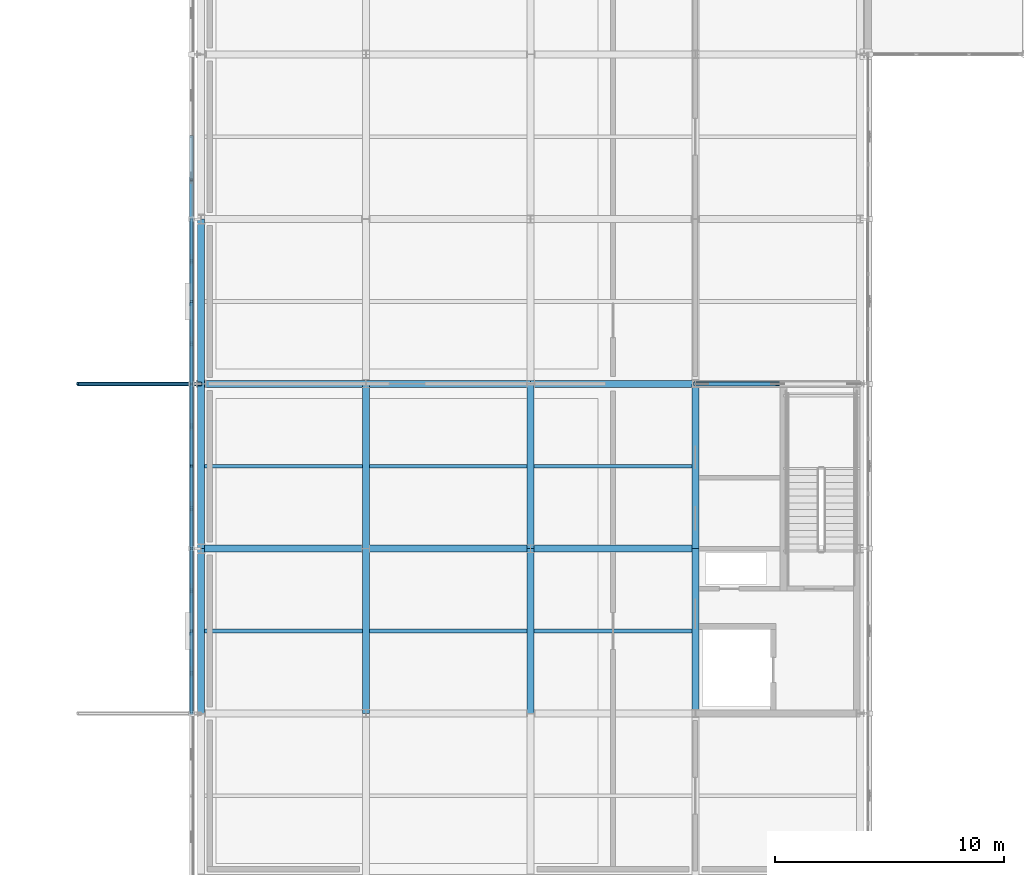
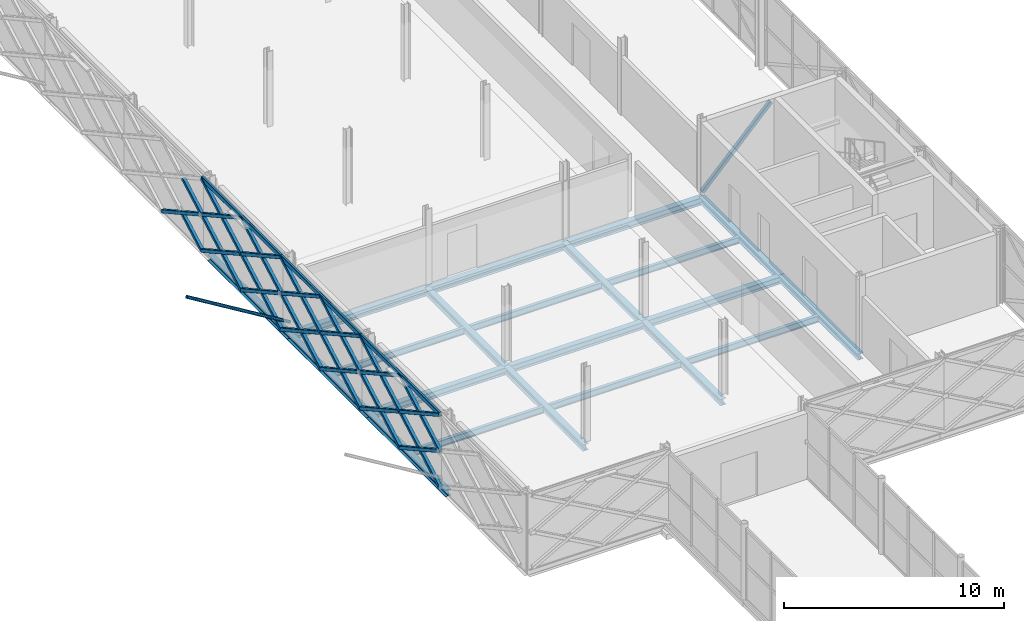
# One storey, part 49 of 146: 44 members, 21 beams.
"""IFC4 building model written with IfcOpenShell, lengths in metres."""

from ifc_helpers import new_model, si_unit, direction, frame, origin, origin_2d, place, context, subcontext, project, spatial, hollow_rectangle, hollow_circle, i_section, extrude, material, material_profile, profile_set, type_object, element, save


model = new_model("IFC4")

# Units and contexts
model_context = context("Model", 3, precision=1e-05, world=origin(), true_north=direction((0.0, 1.0)))
body_context = subcontext(model_context, "Body", "Model", "MODEL_VIEW")
ifc_project = project(units=[si_unit("LENGTHUNIT", "METRE"), si_unit("AREAUNIT", "SQUARE_METRE"), si_unit("VOLUMEUNIT", "CUBIC_METRE"), si_unit("PLANEANGLEUNIT", "RADIAN"), si_unit("MASSUNIT", "GRAM", prefix="KILO")], contexts=[model_context])

# Site, building, storey
site_placement = place(None, origin())
site = spatial("IfcSite", under=ifc_project, at=site_placement, CompositionType="ELEMENT")
building_placement = place(site_placement, origin())
building = spatial("IfcBuilding", under=site, at=building_placement, Name="Zlatovets Crest Museum", CompositionType="ELEMENT")
storey_placement = place(building_placement, frame((0.0, 0.0, 4.5)))
storey = spatial("IfcBuildingStorey", under=building, at=storey_placement, Name="L01", CompositionType="ELEMENT", Elevation=4.5)

# Beams
ifc_material_1 = material(Name="Structural steel S355J2", Category="steel")
ifc_material_profile_1 = material_profile(ifc_material_1, i_section(OverallWidth=0.300048828125, OverallDepth=0.389892578125, WebThickness=0.010986328125, FlangeThickness=0.01904296875, FilletRadius=0.027099609375, at=origin_2d()), Name="HEA 400")
ifc_profile_set_1 = profile_set([ifc_material_profile_1], Name="Structural steel S355J2")
beam_type_1 = type_object("IfcBeamType", Name="Beam_B-02", PredefinedType="BEAM", material=ifc_profile_set_1)
beam_1_placement = place(storey_placement, frame((7.199951171875, 64.800048828125, -0.4150390625), z_axis=(1.0, 0.0, 0.0), x_axis=(0.0, 1.0, 0.0)))
element("IfcBeam", 1, at=beam_1_placement, inside=storey, type_object=beam_type_1, Name="V4 L01 Primary Girder B-02", PredefinedType="BEAM", context=body_context, shape_type="SweptSolid", body=[
    extrude(i_section(OverallWidth=0.300048828125, OverallDepth=0.389892578125, WebThickness=0.010986328125, FlangeThickness=0.01904296875, FilletRadius=0.027099609375, at=origin_2d()), origin(), (0.0, 0.0, 1.0), 7.199951171875),
])
beam_2_placement = place(storey_placement, frame((14.39990234375, 64.800048828125, -0.4150390625), z_axis=(1.0, 0.0, 0.0), x_axis=(0.0, 1.0, 0.0)))
element("IfcBeam", 2, at=beam_2_placement, inside=storey, type_object=beam_type_1, Name="V4 L01 Primary Girder B-02", PredefinedType="BEAM", context=body_context, shape_type="SweptSolid", body=[
    extrude(i_section(OverallWidth=0.300048828125, OverallDepth=0.389892578125, WebThickness=0.010986328125, FlangeThickness=0.01904296875, FilletRadius=0.027099609375, at=origin_2d()), origin(), (0.0, 0.0, 1.0), 7.2001953125),
])
for number, where, z_axis, x_axis, name in (
    (3, (21.60009765625, 64.800048828125, -0.4150390625), (1.0, 0.0, 0.0), (0.0, 1.0, 0.0), "V4 L01 Primary Girder B-02"),
    (4, (7.199951171875, 72.0, -0.4150390625), (1.0, 0.0, 0.0), (0.0, 1.0, 0.0), "V4 L01 Primary Girder B-02"),
):
    element("IfcBeam", number, at=place(storey_placement, frame(where, z_axis=z_axis, x_axis=x_axis)), inside=storey, type_object=beam_type_1, Name=name, PredefinedType="BEAM", context=body_context, shape_type="SweptSolid", body=[
        extrude(i_section(OverallWidth=0.300048828125, OverallDepth=0.389892578125, WebThickness=0.010986328125, FlangeThickness=0.01904296875, FilletRadius=0.027099609375, at=origin_2d()), origin(), (0.0, 0.0, 1.0), 7.199951171875),
    ])
beam_3_placement = place(storey_placement, frame((14.39990234375, 72.0, -0.4150390625), z_axis=(1.0, 0.0, 0.0), x_axis=(0.0, 1.0, 0.0)))
element("IfcBeam", 5, at=beam_3_placement, inside=storey, type_object=beam_type_1, Name="V4 L01 Primary Girder B-02", PredefinedType="BEAM", context=body_context, shape_type="SweptSolid", body=[
    extrude(i_section(OverallWidth=0.300048828125, OverallDepth=0.389892578125, WebThickness=0.010986328125, FlangeThickness=0.01904296875, FilletRadius=0.027099609375, at=origin_2d()), origin(), (0.0, 0.0, 1.0), 7.2001953125),
])
beam_4_placement = place(storey_placement, frame((21.60009765625, 72.0, -0.4150390625), z_axis=(1.0, 0.0, 0.0), x_axis=(0.0, 1.0, 0.0)))
element("IfcBeam", 6, at=beam_4_placement, inside=storey, type_object=beam_type_1, Name="V4 L01 Primary Girder B-02", PredefinedType="BEAM", context=body_context, shape_type="SweptSolid", body=[
    extrude(i_section(OverallWidth=0.300048828125, OverallDepth=0.389892578125, WebThickness=0.010986328125, FlangeThickness=0.01904296875, FilletRadius=0.027099609375, at=origin_2d()), origin(), (0.0, 0.0, 1.0), 7.199951171875),
])
ifc_material_profile_2 = material_profile(ifc_material_1, i_section(OverallWidth=0.300048828125, OverallDepth=0.35009765625, WebThickness=0.010009765625, FlangeThickness=0.017578125, FilletRadius=0.027099609375, at=origin_2d()), Name="HEA 360")
ifc_profile_set_2 = profile_set([ifc_material_profile_2], Name="Structural steel S355J2")
beam_type_2 = type_object("IfcBeamType", Name="Beam_B-03", PredefinedType="BEAM", material=ifc_profile_set_2)
for number, where, z_axis, x_axis, name in (
    (7, (7.199951171875, 57.60009765625, -0.39501953125), (0.0, 1.0, 0.0), (-1.0, 0.0, 0.0), "V4 L01 Grid Beam B-03"),
    (8, (7.199951171875, 64.800048828125, -0.39501953125), (0.0, 1.0, 0.0), (-1.0, 0.0, 0.0), "V4 L01 Grid Beam B-03"),
    (9, (7.199951171875, 72.0, -0.39501953125), (0.0, 1.0, 0.0), (-1.0, 0.0, 0.0), "V4 L01 Grid Beam B-03"),
    (10, (14.39990234375, 57.60009765625, -0.39501953125), (0.0, 1.0, 0.0), (-1.0, 0.0, 0.0), "V4 L01 Grid Beam B-03"),
    (11, (14.39990234375, 64.800048828125, -0.39501953125), (0.0, 1.0, 0.0), (-1.0, 0.0, 0.0), "V4 L01 Grid Beam B-03"),
    (12, (21.60009765625, 57.60009765625, -0.39501953125), (0.0, 1.0, 0.0), (-1.0, 0.0, 0.0), "V4 L01 Grid Beam B-03"),
    (13, (21.60009765625, 64.800048828125, -0.39501953125), (0.0, 1.0, 0.0), (-1.0, 0.0, 0.0), "V4 L01 Grid Beam B-03"),
    (14, (28.800048828125, 57.60009765625, -0.39501953125), (0.0, 1.0, 0.0), (-1.0, 0.0, 0.0), "V4 L01 Grid Beam B-03"),
    (15, (28.800048828125, 64.800048828125, -0.39501953125), (0.0, 1.0, 0.0), (-1.0, 0.0, 0.0), "V4 L01 Grid Beam B-03"),
):
    element("IfcBeam", number, at=place(storey_placement, frame(where, z_axis=z_axis, x_axis=x_axis)), inside=storey, type_object=beam_type_2, Name=name, PredefinedType="BEAM", context=body_context, shape_type="SweptSolid", body=[
        extrude(i_section(OverallWidth=0.300048828125, OverallDepth=0.35009765625, WebThickness=0.010009765625, FlangeThickness=0.017578125, FilletRadius=0.027099609375, at=origin_2d()), origin(), (0.0, 0.0, 1.0), 7.199951171875),
    ])
ifc_material_profile_3 = material_profile(ifc_material_1, i_section(OverallWidth=0.169921875, OverallDepth=0.360107421875, WebThickness=0.008056640625, FlangeThickness=0.0126953125, FilletRadius=0.01806640625, at=origin_2d()), Name="IPE 360")
ifc_profile_set_3 = profile_set([ifc_material_profile_3], Name="Structural steel S355J2")
beam_type_3 = type_object("IfcBeamType", Name="Beam_J-01", PredefinedType="JOIST", material=ifc_profile_set_3)
for number, where, z_axis, x_axis, name in (
    (16, (7.35009765625, 61.199951171875, -0.39990234375), (1.0, 0.0, 0.0), (0.0, 1.0, 0.0), "V4 L01 Composite Joist J-01"),
    (17, (7.35009765625, 68.39990234375, -0.39990234375), (1.0, 0.0, 0.0), (0.0, 1.0, 0.0), "V4 L01 Composite Joist J-01"),
    (18, (14.550048828125, 61.199951171875, -0.39990234375), (1.0, 0.0, 0.0), (0.0, 1.0, 0.0), "V4 L01 Composite Joist J-01"),
    (19, (14.550048828125, 68.39990234375, -0.39990234375), (1.0, 0.0, 0.0), (0.0, 1.0, 0.0), "V4 L01 Composite Joist J-01"),
    (20, (21.75, 61.199951171875, -0.39990234375), (1.0, 0.0, 0.0), (0.0, 1.0, 0.0), "V4 L01 Composite Joist J-01"),
    (21, (21.75, 68.39990234375, -0.39990234375), (1.0, 0.0, 0.0), (0.0, 1.0, 0.0), "V4 L01 Composite Joist J-01"),
):
    element("IfcBeam", number, at=place(storey_placement, frame(where, z_axis=z_axis, x_axis=x_axis)), inside=storey, type_object=beam_type_3, Name=name, PredefinedType="JOIST", context=body_context, shape_type="SweptSolid", body=[
        extrude(i_section(OverallWidth=0.169921875, OverallDepth=0.360107421875, WebThickness=0.008056640625, FlangeThickness=0.0126953125, FilletRadius=0.01806640625, at=origin_2d()), origin(), (0.0, 0.0, 1.0), 6.89990234375),
    ])

# Members
ifc_material_2 = material(Name="Weathering bronze-steel S355J2W", Category="steel")
ifc_material_profile_4 = material_profile(ifc_material_2, hollow_rectangle(XDim=0.179931640625, YDim=0.179931640625, WallThickness=0.010009765625, InnerFilletRadius=0.010009765625, OuterFilletRadius=0.02001953125, at=origin_2d()), Name="SHS 180x180x10.0")
ifc_profile_set_4 = profile_set([ifc_material_profile_4], Name="Weathering bronze-steel S355J2W")
member_type_1 = type_object("IfcMemberType", Name="Lattice_XL-01", PredefinedType="BRACE", material=ifc_profile_set_4)
member_1_placement = place(storey_placement, frame((6.780029296875, 82.800048828125, 0.10009765625), z_axis=(0.0, -0.874162868644, 0.485632864501), x_axis=(1.0, 0.0, 0.0)))
element("IfcMember", 22, at=member_1_placement, inside=storey, type_object=member_type_1, Name="Continuous Bronze Lattice Diagonal", PredefinedType="BRACE", context=body_context, shape_type="SweptSolid", body=[
    extrude(hollow_rectangle(XDim=0.179931640625, YDim=0.179931640625, WallThickness=0.010009765625, InnerFilletRadius=0.010009765625, OuterFilletRadius=0.02001953125, at=origin_2d()), origin(), (0.0, 0.0, 1.0), 4.118408203125),
])
for number, where, z_axis, x_axis, name in (
    (23, (6.780029296875, 80.9169921875, 1.053955078125), (0.0, -0.874169001841, -0.485621824284), (1.0, 0.0, 0.0), "Split Crossing Bronze Lattice Diagonal Lower"),
    (24, (6.780029296875, 80.9169921875, 3.053955078125), (0.0, -0.874169001841, -0.485621824284), (1.0, 0.0, 0.0), "Split Crossing Bronze Lattice Diagonal Lower"),
):
    element("IfcMember", number, at=place(storey_placement, frame(where, z_axis=z_axis, x_axis=x_axis)), inside=storey, type_object=member_type_1, Name=name, PredefinedType="BRACE", context=body_context, shape_type="SweptSolid", body=[
        extrude(hollow_rectangle(XDim=0.179931640625, YDim=0.179931640625, WallThickness=0.010009765625, InnerFilletRadius=0.010009765625, OuterFilletRadius=0.02001953125, at=origin_2d()), origin(), (0.0, 0.0, 1.0), 1.964111328125),
    ])
member_2_placement = place(storey_placement, frame((6.780029296875, 79.199951171875, 0.10009765625), z_axis=(0.0, -0.874148886685, 0.485658031857), x_axis=(1.0, 0.0, 0.0)))
element("IfcMember", 25, at=member_2_placement, inside=storey, type_object=member_type_1, Name="Continuous Bronze Lattice Diagonal", PredefinedType="BRACE", context=body_context, shape_type="SweptSolid", body=[
    extrude(hollow_rectangle(XDim=0.179931640625, YDim=0.179931640625, WallThickness=0.010009765625, InnerFilletRadius=0.010009765625, OuterFilletRadius=0.02001953125, at=origin_2d()), origin(), (0.0, 0.0, 1.0), 4.1181640625),
])
member_3_placement = place(storey_placement, frame((6.780029296875, 79.199951171875, 2.10009765625), z_axis=(0.0, -0.874116234569, -0.48571679862), x_axis=(1.0, 0.0, 0.0)))
element("IfcMember", 26, at=member_3_placement, inside=storey, type_object=member_type_1, Name="Split Crossing Bronze Lattice Diagonal Upper", PredefinedType="BRACE", context=body_context, shape_type="SweptSolid", body=[
    extrude(hollow_rectangle(XDim=0.179931640625, YDim=0.179931640625, WallThickness=0.010009765625, InnerFilletRadius=0.010009765625, OuterFilletRadius=0.02001953125, at=origin_2d()), origin(), (0.0, 0.0, 1.0), 1.96435546875),
])
member_4_placement = place(storey_placement, frame((6.780029296875, 77.31689453125, 1.053955078125), z_axis=(0.0, -0.874139684676, -0.48567459443), x_axis=(1.0, 0.0, 0.0)))
element("IfcMember", 27, at=member_4_placement, inside=storey, type_object=member_type_1, Name="Split Crossing Bronze Lattice Diagonal Lower", PredefinedType="BRACE", context=body_context, shape_type="SweptSolid", body=[
    extrude(hollow_rectangle(XDim=0.179931640625, YDim=0.179931640625, WallThickness=0.010009765625, InnerFilletRadius=0.010009765625, OuterFilletRadius=0.02001953125, at=origin_2d()), origin(), (0.0, 0.0, 1.0), 1.9638671875),
])
member_5_placement = place(storey_placement, frame((6.780029296875, 75.60009765625, 0.10009765625), z_axis=(0.0, -0.874162868644, 0.485632864501), x_axis=(1.0, 0.0, 0.0)))
element("IfcMember", 28, at=member_5_placement, inside=storey, type_object=member_type_1, Name="Continuous Bronze Lattice Diagonal", PredefinedType="BRACE", context=body_context, shape_type="SweptSolid", body=[
    extrude(hollow_rectangle(XDim=0.179931640625, YDim=0.179931640625, WallThickness=0.010009765625, InnerFilletRadius=0.010009765625, OuterFilletRadius=0.02001953125, at=origin_2d()), origin(), (0.0, 0.0, 1.0), 4.118408203125),
])
member_6_placement = place(storey_placement, frame((6.780029296875, 75.60009765625, 2.10009765625), z_axis=(0.0, -0.874116234569, -0.48571679862), x_axis=(1.0, 0.0, 0.0)))
element("IfcMember", 29, at=member_6_placement, inside=storey, type_object=member_type_1, Name="Split Crossing Bronze Lattice Diagonal Upper", PredefinedType="BRACE", context=body_context, shape_type="SweptSolid", body=[
    extrude(hollow_rectangle(XDim=0.179931640625, YDim=0.179931640625, WallThickness=0.010009765625, InnerFilletRadius=0.010009765625, OuterFilletRadius=0.02001953125, at=origin_2d()), origin(), (0.0, 0.0, 1.0), 1.96435546875),
])
member_7_placement = place(storey_placement, frame((6.780029296875, 73.717041015625, 1.053955078125), z_axis=(0.0, -0.874169001841, -0.485621824284), x_axis=(1.0, 0.0, 0.0)))
element("IfcMember", 30, at=member_7_placement, inside=storey, type_object=member_type_1, Name="Split Crossing Bronze Lattice Diagonal Lower", PredefinedType="BRACE", context=body_context, shape_type="SweptSolid", body=[
    extrude(hollow_rectangle(XDim=0.179931640625, YDim=0.179931640625, WallThickness=0.010009765625, InnerFilletRadius=0.010009765625, OuterFilletRadius=0.02001953125, at=origin_2d()), origin(), (0.0, 0.0, 1.0), 1.964111328125),
])
member_8_placement = place(storey_placement, frame((6.780029296875, 79.199951171875, 2.10009765625), z_axis=(0.0, -0.874148886685, 0.485658031857), x_axis=(1.0, 0.0, 0.0)))
element("IfcMember", 31, at=member_8_placement, inside=storey, type_object=member_type_1, Name="Continuous Bronze Lattice Diagonal", PredefinedType="BRACE", context=body_context, shape_type="SweptSolid", body=[
    extrude(hollow_rectangle(XDim=0.179931640625, YDim=0.179931640625, WallThickness=0.010009765625, InnerFilletRadius=0.010009765625, OuterFilletRadius=0.02001953125, at=origin_2d()), origin(), (0.0, 0.0, 1.0), 4.1181640625),
])
member_9_placement = place(storey_placement, frame((6.780029296875, 79.199951171875, 4.10009765625), z_axis=(0.0, -0.874116234569, -0.48571679862), x_axis=(1.0, 0.0, 0.0)))
element("IfcMember", 32, at=member_9_placement, inside=storey, type_object=member_type_1, Name="Split Crossing Bronze Lattice Diagonal Upper", PredefinedType="BRACE", context=body_context, shape_type="SweptSolid", body=[
    extrude(hollow_rectangle(XDim=0.179931640625, YDim=0.179931640625, WallThickness=0.010009765625, InnerFilletRadius=0.010009765625, OuterFilletRadius=0.02001953125, at=origin_2d()), origin(), (0.0, 0.0, 1.0), 1.96435546875),
])
member_10_placement = place(storey_placement, frame((6.780029296875, 77.31689453125, 3.053955078125), z_axis=(0.0, -0.874139684676, -0.48567459443), x_axis=(1.0, 0.0, 0.0)))
element("IfcMember", 33, at=member_10_placement, inside=storey, type_object=member_type_1, Name="Split Crossing Bronze Lattice Diagonal Lower", PredefinedType="BRACE", context=body_context, shape_type="SweptSolid", body=[
    extrude(hollow_rectangle(XDim=0.179931640625, YDim=0.179931640625, WallThickness=0.010009765625, InnerFilletRadius=0.010009765625, OuterFilletRadius=0.02001953125, at=origin_2d()), origin(), (0.0, 0.0, 1.0), 1.9638671875),
])
member_11_placement = place(storey_placement, frame((6.780029296875, 75.60009765625, 2.10009765625), z_axis=(0.0, -0.874162868644, 0.485632864501), x_axis=(1.0, 0.0, 0.0)))
element("IfcMember", 34, at=member_11_placement, inside=storey, type_object=member_type_1, Name="Continuous Bronze Lattice Diagonal", PredefinedType="BRACE", context=body_context, shape_type="SweptSolid", body=[
    extrude(hollow_rectangle(XDim=0.179931640625, YDim=0.179931640625, WallThickness=0.010009765625, InnerFilletRadius=0.010009765625, OuterFilletRadius=0.02001953125, at=origin_2d()), origin(), (0.0, 0.0, 1.0), 4.118408203125),
])
member_12_placement = place(storey_placement, frame((6.780029296875, 75.60009765625, 4.10009765625), z_axis=(0.0, -0.874116234569, -0.48571679862), x_axis=(1.0, 0.0, 0.0)))
element("IfcMember", 35, at=member_12_placement, inside=storey, type_object=member_type_1, Name="Split Crossing Bronze Lattice Diagonal Upper", PredefinedType="BRACE", context=body_context, shape_type="SweptSolid", body=[
    extrude(hollow_rectangle(XDim=0.179931640625, YDim=0.179931640625, WallThickness=0.010009765625, InnerFilletRadius=0.010009765625, OuterFilletRadius=0.02001953125, at=origin_2d()), origin(), (0.0, 0.0, 1.0), 1.96435546875),
])
member_13_placement = place(storey_placement, frame((6.780029296875, 73.717041015625, 3.053955078125), z_axis=(0.0, -0.874169001841, -0.485621824284), x_axis=(1.0, 0.0, 0.0)))
element("IfcMember", 36, at=member_13_placement, inside=storey, type_object=member_type_1, Name="Split Crossing Bronze Lattice Diagonal Lower", PredefinedType="BRACE", context=body_context, shape_type="SweptSolid", body=[
    extrude(hollow_rectangle(XDim=0.179931640625, YDim=0.179931640625, WallThickness=0.010009765625, InnerFilletRadius=0.010009765625, OuterFilletRadius=0.02001953125, at=origin_2d()), origin(), (0.0, 0.0, 1.0), 1.964111328125),
])
member_14_placement = place(storey_placement, frame((6.780029296875, 72.0, 0.10009765625), z_axis=(0.0, -0.874162868644, 0.485632864501), x_axis=(1.0, 0.0, 0.0)))
element("IfcMember", 37, at=member_14_placement, inside=storey, type_object=member_type_1, Name="Continuous Bronze Lattice Diagonal", PredefinedType="BRACE", context=body_context, shape_type="SweptSolid", body=[
    extrude(hollow_rectangle(XDim=0.179931640625, YDim=0.179931640625, WallThickness=0.010009765625, InnerFilletRadius=0.010009765625, OuterFilletRadius=0.02001953125, at=origin_2d()), origin(), (0.0, 0.0, 1.0), 4.118408203125),
])
member_15_placement = place(storey_placement, frame((6.780029296875, 72.0, 2.10009765625), z_axis=(0.0, -0.874116234569, -0.48571679862), x_axis=(1.0, 0.0, 0.0)))
element("IfcMember", 38, at=member_15_placement, inside=storey, type_object=member_type_1, Name="Split Crossing Bronze Lattice Diagonal Upper", PredefinedType="BRACE", context=body_context, shape_type="SweptSolid", body=[
    extrude(hollow_rectangle(XDim=0.179931640625, YDim=0.179931640625, WallThickness=0.010009765625, InnerFilletRadius=0.010009765625, OuterFilletRadius=0.02001953125, at=origin_2d()), origin(), (0.0, 0.0, 1.0), 1.96435546875),
])
member_16_placement = place(storey_placement, frame((6.780029296875, 70.116943359375, 1.053955078125), z_axis=(0.0, -0.874169001841, -0.485621824284), x_axis=(1.0, 0.0, 0.0)))
element("IfcMember", 39, at=member_16_placement, inside=storey, type_object=member_type_1, Name="Split Crossing Bronze Lattice Diagonal Lower", PredefinedType="BRACE", context=body_context, shape_type="SweptSolid", body=[
    extrude(hollow_rectangle(XDim=0.179931640625, YDim=0.179931640625, WallThickness=0.010009765625, InnerFilletRadius=0.010009765625, OuterFilletRadius=0.02001953125, at=origin_2d()), origin(), (0.0, 0.0, 1.0), 1.964111328125),
])
member_17_placement = place(storey_placement, frame((6.780029296875, 68.39990234375, 0.10009765625), z_axis=(0.0, -0.874148886685, 0.485658031857), x_axis=(1.0, 0.0, 0.0)))
element("IfcMember", 40, at=member_17_placement, inside=storey, type_object=member_type_1, Name="Continuous Bronze Lattice Diagonal", PredefinedType="BRACE", context=body_context, shape_type="SweptSolid", body=[
    extrude(hollow_rectangle(XDim=0.179931640625, YDim=0.179931640625, WallThickness=0.010009765625, InnerFilletRadius=0.010009765625, OuterFilletRadius=0.02001953125, at=origin_2d()), origin(), (0.0, 0.0, 1.0), 4.1181640625),
])
for number, where, z_axis, x_axis, name in (
    (41, (6.780029296875, 68.39990234375, 2.10009765625), (0.0, -0.874086907708, -0.485769572713), (1.0, 0.0, 0.0), "Split Crossing Bronze Lattice Diagonal Upper"),
    (42, (6.780029296875, 66.51708984375, 1.053955078125), (0.0, -0.874169001841, -0.485621824284), (1.0, 0.0, 0.0), "Split Crossing Bronze Lattice Diagonal Lower"),
):
    element("IfcMember", number, at=place(storey_placement, frame(where, z_axis=z_axis, x_axis=x_axis)), inside=storey, type_object=member_type_1, Name=name, PredefinedType="BRACE", context=body_context, shape_type="SweptSolid", body=[
        extrude(hollow_rectangle(XDim=0.179931640625, YDim=0.179931640625, WallThickness=0.010009765625, InnerFilletRadius=0.010009765625, OuterFilletRadius=0.02001953125, at=origin_2d()), origin(), (0.0, 0.0, 1.0), 1.964111328125),
    ])
member_18_placement = place(storey_placement, frame((6.780029296875, 72.0, 2.10009765625), z_axis=(0.0, -0.874162868644, 0.485632864501), x_axis=(1.0, 0.0, 0.0)))
element("IfcMember", 43, at=member_18_placement, inside=storey, type_object=member_type_1, Name="Continuous Bronze Lattice Diagonal", PredefinedType="BRACE", context=body_context, shape_type="SweptSolid", body=[
    extrude(hollow_rectangle(XDim=0.179931640625, YDim=0.179931640625, WallThickness=0.010009765625, InnerFilletRadius=0.010009765625, OuterFilletRadius=0.02001953125, at=origin_2d()), origin(), (0.0, 0.0, 1.0), 4.118408203125),
])
member_19_placement = place(storey_placement, frame((6.780029296875, 72.0, 4.10009765625), z_axis=(0.0, -0.874116234569, -0.48571679862), x_axis=(1.0, 0.0, 0.0)))
element("IfcMember", 44, at=member_19_placement, inside=storey, type_object=member_type_1, Name="Split Crossing Bronze Lattice Diagonal Upper", PredefinedType="BRACE", context=body_context, shape_type="SweptSolid", body=[
    extrude(hollow_rectangle(XDim=0.179931640625, YDim=0.179931640625, WallThickness=0.010009765625, InnerFilletRadius=0.010009765625, OuterFilletRadius=0.02001953125, at=origin_2d()), origin(), (0.0, 0.0, 1.0), 1.96435546875),
])
member_20_placement = place(storey_placement, frame((6.780029296875, 70.116943359375, 3.053955078125), z_axis=(0.0, -0.874169001841, -0.485621824284), x_axis=(1.0, 0.0, 0.0)))
element("IfcMember", 45, at=member_20_placement, inside=storey, type_object=member_type_1, Name="Split Crossing Bronze Lattice Diagonal Lower", PredefinedType="BRACE", context=body_context, shape_type="SweptSolid", body=[
    extrude(hollow_rectangle(XDim=0.179931640625, YDim=0.179931640625, WallThickness=0.010009765625, InnerFilletRadius=0.010009765625, OuterFilletRadius=0.02001953125, at=origin_2d()), origin(), (0.0, 0.0, 1.0), 1.964111328125),
])
member_21_placement = place(storey_placement, frame((6.780029296875, 68.39990234375, 2.10009765625), z_axis=(0.0, -0.874148886685, 0.485658031857), x_axis=(1.0, 0.0, 0.0)))
element("IfcMember", 46, at=member_21_placement, inside=storey, type_object=member_type_1, Name="Continuous Bronze Lattice Diagonal", PredefinedType="BRACE", context=body_context, shape_type="SweptSolid", body=[
    extrude(hollow_rectangle(XDim=0.179931640625, YDim=0.179931640625, WallThickness=0.010009765625, InnerFilletRadius=0.010009765625, OuterFilletRadius=0.02001953125, at=origin_2d()), origin(), (0.0, 0.0, 1.0), 4.1181640625),
])
for number, where, z_axis, x_axis, name in (
    (47, (6.780029296875, 68.39990234375, 4.10009765625), (0.0, -0.874086907708, -0.485769572713), (1.0, 0.0, 0.0), "Split Crossing Bronze Lattice Diagonal Upper"),
    (48, (6.780029296875, 66.51708984375, 3.053955078125), (0.0, -0.874169001841, -0.485621824284), (1.0, 0.0, 0.0), "Split Crossing Bronze Lattice Diagonal Lower"),
):
    element("IfcMember", number, at=place(storey_placement, frame(where, z_axis=z_axis, x_axis=x_axis)), inside=storey, type_object=member_type_1, Name=name, PredefinedType="BRACE", context=body_context, shape_type="SweptSolid", body=[
        extrude(hollow_rectangle(XDim=0.179931640625, YDim=0.179931640625, WallThickness=0.010009765625, InnerFilletRadius=0.010009765625, OuterFilletRadius=0.02001953125, at=origin_2d()), origin(), (0.0, 0.0, 1.0), 1.964111328125),
    ])
member_22_placement = place(storey_placement, frame((6.780029296875, 64.800048828125, 0.10009765625), z_axis=(0.0, -0.874162868644, 0.485632864501), x_axis=(1.0, 0.0, 0.0)))
element("IfcMember", 49, at=member_22_placement, inside=storey, type_object=member_type_1, Name="Continuous Bronze Lattice Diagonal", PredefinedType="BRACE", context=body_context, shape_type="SweptSolid", body=[
    extrude(hollow_rectangle(XDim=0.179931640625, YDim=0.179931640625, WallThickness=0.010009765625, InnerFilletRadius=0.010009765625, OuterFilletRadius=0.02001953125, at=origin_2d()), origin(), (0.0, 0.0, 1.0), 4.118408203125),
])
member_23_placement = place(storey_placement, frame((6.780029296875, 64.800048828125, 2.10009765625), z_axis=(0.0, -0.874116234569, -0.48571679862), x_axis=(1.0, 0.0, 0.0)))
element("IfcMember", 50, at=member_23_placement, inside=storey, type_object=member_type_1, Name="Split Crossing Bronze Lattice Diagonal Upper", PredefinedType="BRACE", context=body_context, shape_type="SweptSolid", body=[
    extrude(hollow_rectangle(XDim=0.179931640625, YDim=0.179931640625, WallThickness=0.010009765625, InnerFilletRadius=0.010009765625, OuterFilletRadius=0.02001953125, at=origin_2d()), origin(), (0.0, 0.0, 1.0), 1.96435546875),
])
member_24_placement = place(storey_placement, frame((6.780029296875, 62.9169921875, 1.053955078125), z_axis=(0.0, -0.874169001841, -0.485621824284), x_axis=(1.0, 0.0, 0.0)))
element("IfcMember", 51, at=member_24_placement, inside=storey, type_object=member_type_1, Name="Split Crossing Bronze Lattice Diagonal Lower", PredefinedType="BRACE", context=body_context, shape_type="SweptSolid", body=[
    extrude(hollow_rectangle(XDim=0.179931640625, YDim=0.179931640625, WallThickness=0.010009765625, InnerFilletRadius=0.010009765625, OuterFilletRadius=0.02001953125, at=origin_2d()), origin(), (0.0, 0.0, 1.0), 1.964111328125),
])
member_25_placement = place(storey_placement, frame((6.780029296875, 61.199951171875, 0.10009765625), z_axis=(0.0, -0.874148886685, 0.485658031857), x_axis=(1.0, 0.0, 0.0)))
element("IfcMember", 52, at=member_25_placement, inside=storey, type_object=member_type_1, Name="Continuous Bronze Lattice Diagonal", PredefinedType="BRACE", context=body_context, shape_type="SweptSolid", body=[
    extrude(hollow_rectangle(XDim=0.179931640625, YDim=0.179931640625, WallThickness=0.010009765625, InnerFilletRadius=0.010009765625, OuterFilletRadius=0.02001953125, at=origin_2d()), origin(), (0.0, 0.0, 1.0), 4.1181640625),
])
member_26_placement = place(storey_placement, frame((6.780029296875, 61.199951171875, 2.10009765625), z_axis=(0.0, -0.874116234569, -0.48571679862), x_axis=(1.0, 0.0, 0.0)))
element("IfcMember", 53, at=member_26_placement, inside=storey, type_object=member_type_1, Name="Split Crossing Bronze Lattice Diagonal Upper", PredefinedType="BRACE", context=body_context, shape_type="SweptSolid", body=[
    extrude(hollow_rectangle(XDim=0.179931640625, YDim=0.179931640625, WallThickness=0.010009765625, InnerFilletRadius=0.010009765625, OuterFilletRadius=0.02001953125, at=origin_2d()), origin(), (0.0, 0.0, 1.0), 1.96435546875),
])
member_27_placement = place(storey_placement, frame((6.780029296875, 59.31689453125, 1.053955078125), z_axis=(0.0, -0.874139684676, -0.48567459443), x_axis=(1.0, 0.0, 0.0)))
element("IfcMember", 54, at=member_27_placement, inside=storey, type_object=member_type_1, Name="Split Crossing Bronze Lattice Diagonal Lower", PredefinedType="BRACE", context=body_context, shape_type="SweptSolid", body=[
    extrude(hollow_rectangle(XDim=0.179931640625, YDim=0.179931640625, WallThickness=0.010009765625, InnerFilletRadius=0.010009765625, OuterFilletRadius=0.02001953125, at=origin_2d()), origin(), (0.0, 0.0, 1.0), 1.9638671875),
])
member_28_placement = place(storey_placement, frame((6.780029296875, 64.800048828125, 2.10009765625), z_axis=(0.0, -0.874162868644, 0.485632864501), x_axis=(1.0, 0.0, 0.0)))
element("IfcMember", 55, at=member_28_placement, inside=storey, type_object=member_type_1, Name="Continuous Bronze Lattice Diagonal", PredefinedType="BRACE", context=body_context, shape_type="SweptSolid", body=[
    extrude(hollow_rectangle(XDim=0.179931640625, YDim=0.179931640625, WallThickness=0.010009765625, InnerFilletRadius=0.010009765625, OuterFilletRadius=0.02001953125, at=origin_2d()), origin(), (0.0, 0.0, 1.0), 4.118408203125),
])
member_29_placement = place(storey_placement, frame((6.780029296875, 64.800048828125, 4.10009765625), z_axis=(0.0, -0.874116234569, -0.48571679862), x_axis=(1.0, 0.0, 0.0)))
element("IfcMember", 56, at=member_29_placement, inside=storey, type_object=member_type_1, Name="Split Crossing Bronze Lattice Diagonal Upper", PredefinedType="BRACE", context=body_context, shape_type="SweptSolid", body=[
    extrude(hollow_rectangle(XDim=0.179931640625, YDim=0.179931640625, WallThickness=0.010009765625, InnerFilletRadius=0.010009765625, OuterFilletRadius=0.02001953125, at=origin_2d()), origin(), (0.0, 0.0, 1.0), 1.96435546875),
])
member_30_placement = place(storey_placement, frame((6.780029296875, 62.9169921875, 3.053955078125), z_axis=(0.0, -0.874169001841, -0.485621824284), x_axis=(1.0, 0.0, 0.0)))
element("IfcMember", 57, at=member_30_placement, inside=storey, type_object=member_type_1, Name="Split Crossing Bronze Lattice Diagonal Lower", PredefinedType="BRACE", context=body_context, shape_type="SweptSolid", body=[
    extrude(hollow_rectangle(XDim=0.179931640625, YDim=0.179931640625, WallThickness=0.010009765625, InnerFilletRadius=0.010009765625, OuterFilletRadius=0.02001953125, at=origin_2d()), origin(), (0.0, 0.0, 1.0), 1.964111328125),
])
member_31_placement = place(storey_placement, frame((6.780029296875, 61.199951171875, 2.10009765625), z_axis=(0.0, -0.874148886685, 0.485658031857), x_axis=(1.0, 0.0, 0.0)))
element("IfcMember", 58, at=member_31_placement, inside=storey, type_object=member_type_1, Name="Continuous Bronze Lattice Diagonal", PredefinedType="BRACE", context=body_context, shape_type="SweptSolid", body=[
    extrude(hollow_rectangle(XDim=0.179931640625, YDim=0.179931640625, WallThickness=0.010009765625, InnerFilletRadius=0.010009765625, OuterFilletRadius=0.02001953125, at=origin_2d()), origin(), (0.0, 0.0, 1.0), 4.1181640625),
])
member_32_placement = place(storey_placement, frame((6.780029296875, 61.199951171875, 4.10009765625), z_axis=(0.0, -0.874116234569, -0.48571679862), x_axis=(1.0, 0.0, 0.0)))
element("IfcMember", 59, at=member_32_placement, inside=storey, type_object=member_type_1, Name="Split Crossing Bronze Lattice Diagonal Upper", PredefinedType="BRACE", context=body_context, shape_type="SweptSolid", body=[
    extrude(hollow_rectangle(XDim=0.179931640625, YDim=0.179931640625, WallThickness=0.010009765625, InnerFilletRadius=0.010009765625, OuterFilletRadius=0.02001953125, at=origin_2d()), origin(), (0.0, 0.0, 1.0), 1.96435546875),
])
member_33_placement = place(storey_placement, frame((6.780029296875, 59.31689453125, 3.053955078125), z_axis=(0.0, -0.874139684676, -0.48567459443), x_axis=(1.0, 0.0, 0.0)))
element("IfcMember", 60, at=member_33_placement, inside=storey, type_object=member_type_1, Name="Split Crossing Bronze Lattice Diagonal Lower", PredefinedType="BRACE", context=body_context, shape_type="SweptSolid", body=[
    extrude(hollow_rectangle(XDim=0.179931640625, YDim=0.179931640625, WallThickness=0.010009765625, InnerFilletRadius=0.010009765625, OuterFilletRadius=0.02001953125, at=origin_2d()), origin(), (0.0, 0.0, 1.0), 1.9638671875),
])
ifc_material_profile_5 = material_profile(ifc_material_2, hollow_rectangle(XDim=0.1201171875, YDim=0.239990234375, WallThickness=0.010009765625, InnerFilletRadius=0.010009765625, OuterFilletRadius=0.02001953125, at=origin_2d()), Name="RHS 120x240x10.0")
ifc_profile_set_5 = profile_set([ifc_material_profile_5], Name="Weathering bronze-steel S355J2W")
member_type_2 = type_object("IfcMemberType", Name="Lattice_XL-04", PredefinedType="CHORD", material=ifc_profile_set_5)
for number, where, z_axis, x_axis, name in (
    (61, (6.780029296875, 79.199951171875, 4.10009765625), (0.0, -1.0, 0.0), (1.0, 0.0, 0.0), "Art Nouveau Woven Cage Collector Ring Chord"),
    (62, (6.780029296875, 72.0, 4.10009765625), (0.0, -1.0, 0.0), (1.0, 0.0, 0.0), "Art Nouveau Woven Cage Collector Ring Chord"),
    (63, (6.780029296875, 64.800048828125, 4.10009765625), (0.0, -1.0, 0.0), (1.0, 0.0, 0.0), "Art Nouveau Woven Cage Collector Ring Chord"),
):
    element("IfcMember", number, at=place(storey_placement, frame(where, z_axis=z_axis, x_axis=x_axis)), inside=storey, type_object=member_type_2, Name=name, PredefinedType="CHORD", context=body_context, shape_type="SweptSolid", body=[
        extrude(hollow_rectangle(XDim=0.1201171875, YDim=0.239990234375, WallThickness=0.010009765625, InnerFilletRadius=0.010009765625, OuterFilletRadius=0.02001953125, at=origin_2d()), origin(), (0.0, 0.0, 1.0), 7.199951171875),
    ])
ifc_material_profile_6 = material_profile(ifc_material_1, hollow_rectangle(XDim=0.199951171875, YDim=0.199951171875, WallThickness=0.012451171875, InnerFilletRadius=0.012451171875, OuterFilletRadius=0.02490234375, at=origin_2d()), Name="SHS 200x200x12.5")
ifc_profile_set_6 = profile_set([ifc_material_profile_6], Name="Structural steel S355J2")
member_type_3 = type_object("IfcMemberType", Name="Member_BR-01", PredefinedType="BRACE", material=ifc_profile_set_6)
member_34_placement = place(storey_placement, frame((28.800048828125, 72.0, 0.0), z_axis=(0.692517163318, 0.0, 0.721401399021), x_axis=(0.0, 1.0, 0.0)))
element("IfcMember", 64, at=member_34_placement, inside=storey, type_object=member_type_3, Name="V4 L01 Concentric Seismic Brace", PredefinedType="BRACE", context=body_context, shape_type="SweptSolid", body=[
    extrude(hollow_rectangle(XDim=0.199951171875, YDim=0.199951171875, WallThickness=0.012451171875, InnerFilletRadius=0.012451171875, OuterFilletRadius=0.02490234375, at=origin_2d()), origin(), (0.0, 0.0, 1.0), 5.1982421875),
])
ifc_material_profile_7 = material_profile(ifc_material_1, hollow_circle(Radius=0.084228515625, WallThickness=0.008056640625, at=origin_2d()), Name="CHS 168.3x8.0")
ifc_profile_set_7 = profile_set([ifc_material_profile_7], Name="Structural steel S355J2")
member_type_4 = type_object("IfcMemberType", Name="Member_TM-06", PredefinedType="PURLIN", material=ifc_profile_set_7)
member_35_placement = place(storey_placement, frame((7.199951171875, 72.0, 0.35009765625), z_axis=(-0.854698116657, 0.0, 0.519125350356), x_axis=(0.0, -1.0, 0.0)))
element("IfcMember", 65, at=member_35_placement, inside=storey, type_object=member_type_4, Name="Cantilever Gallery Sculptural Raking Strut 2", PredefinedType="PURLIN", context=body_context, shape_type="SweptSolid", body=[
    extrude(hollow_circle(Radius=0.084228515625, WallThickness=0.008056640625, at=origin_2d()), origin(), (0.0, 0.0, 1.0), 6.31787109375),
])

save(model, "model.ifc")
